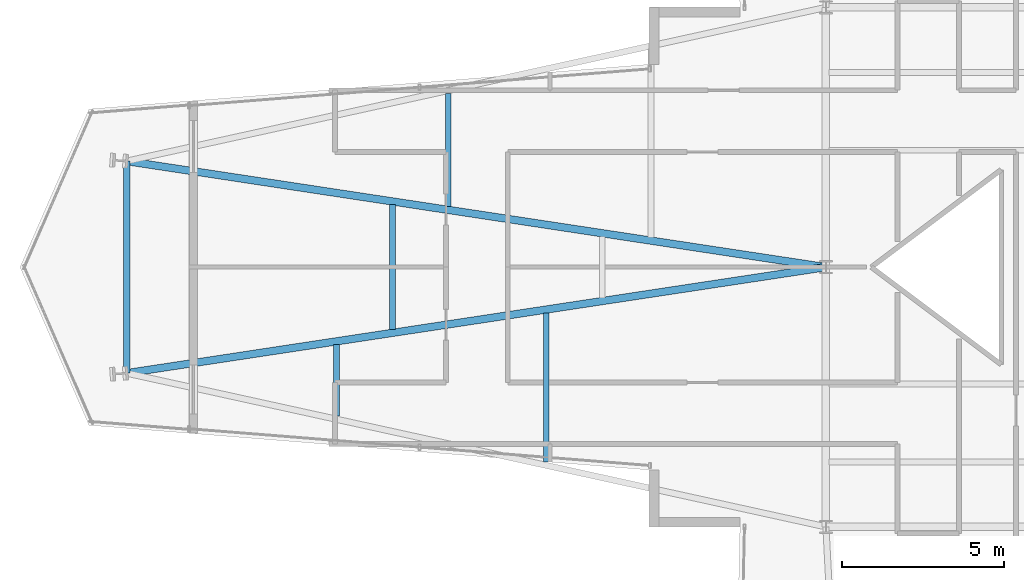
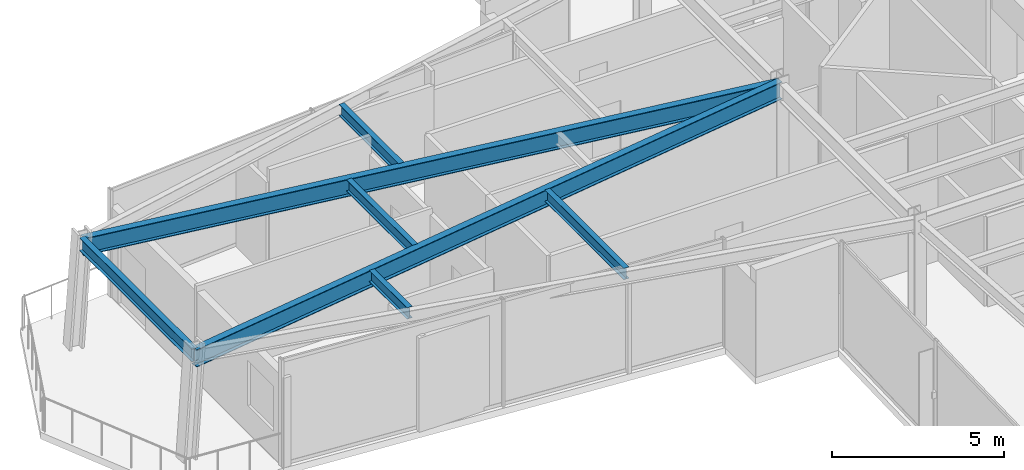
# One storey, part 6 of 26: 7 beams.
"""IFC4 building model written with IfcOpenShell, lengths in metres."""

from ifc_helpers import new_model, si_unit, direction, frame, origin, origin_2d, place, context, subcontext, project, spatial, i_section, extrude, material, material_profile, profile_set, type_object, element, save


model = new_model("IFC4")

# Units and contexts
model_context = context("Model", 3, precision=1e-05, world=origin(), true_north=direction((0.0, 1.0)))
body_context = subcontext(model_context, "Body", "Model", "MODEL_VIEW")
ifc_project = project(units=[si_unit("LENGTHUNIT", "METRE"), si_unit("AREAUNIT", "SQUARE_METRE"), si_unit("VOLUMEUNIT", "CUBIC_METRE"), si_unit("PLANEANGLEUNIT", "RADIAN"), si_unit("MASSUNIT", "GRAM", prefix="KILO")], contexts=[model_context])

# Site, building, storey
site_placement = place(None, origin())
site = spatial("IfcSite", under=ifc_project, at=site_placement, CompositionType="ELEMENT")
building_placement = place(site_placement, origin())
building = spatial("IfcBuilding", under=site, at=building_placement, Name="Veymaron Broadcast Tower", CompositionType="ELEMENT")
storey_placement = place(building_placement, frame((0.0, 0.0, 90.449951171875)))
storey = spatial("IfcBuildingStorey", under=building, at=storey_placement, Name="L20", CompositionType="ELEMENT", Elevation=90.449951171875)

# Beams
ifc_material = material(Name="Structural steel ASTM A992 Gr 50", Category="steel")
ifc_material_profile_1 = material_profile(ifc_material, i_section(OverallWidth=0.22998046875, OverallDepth=0.616943359375, WebThickness=0.01318359375, FlangeThickness=0.022216796875, at=origin_2d()), Name="W610X140")
ifc_profile_set_1 = profile_set([ifc_material_profile_1], Name="Structural steel ASTM A992 Gr 50")
beam_type_1 = type_object("IfcBeamType", Name="BM-FG1", PredefinedType="BEAM", material=ifc_profile_set_1)
for number, where, z_axis, x_axis, name in (
    (1, (9.6630859375, 20.735107421875, 3.50146484375), (0.988703729873, 0.149883069541, 0.0), (-0.149883069541, 0.988703729873, 0.0), "L20 primary structural floor girder"),
    (2, (9.6630859375, 27.264892578125, 3.50146484375), (0.988703729873, -0.149883069541, 0.0), (0.149883069541, 0.988703729873, 0.0), "L20 primary structural floor girder"),
):
    element("IfcBeam", number, at=place(storey_placement, frame(where, z_axis=z_axis, x_axis=x_axis)), inside=storey, type_object=beam_type_1, Name=name, PredefinedType="BEAM", context=body_context, shape_type="SweptSolid", body=[
        extrude(i_section(OverallWidth=0.22998046875, OverallDepth=0.616943359375, WebThickness=0.01318359375, FlangeThickness=0.022216796875, at=origin_2d()), origin(), (0.0, 0.0, 1.0), 21.782958984375),
    ])
ifc_material_profile_2 = material_profile(ifc_material, i_section(OverallWidth=0.177978515625, OverallDepth=0.406982421875, WebThickness=0.0078125, FlangeThickness=0.0126953125, at=origin_2d()), Name="W410X60")
ifc_profile_set_2 = profile_set([ifc_material_profile_2], Name="Structural steel ASTM A992 Gr 50")
beam_type_2 = type_object("IfcBeamType", Name="BM-JS1", PredefinedType="JOIST", material=ifc_profile_set_2)
beam_1_placement = place(storey_placement, frame((16.1240234375, 19.41455078125, 3.6064453125), z_axis=(0.0, 1.0, 0.0), x_axis=(-1.0, 0.0, 0.0)))
element("IfcBeam", 3, at=beam_1_placement, inside=storey, type_object=beam_type_2, Name="L20 Arm-A secondary joist 1S", PredefinedType="JOIST", context=body_context, shape_type="SweptSolid", body=[
    extrude(i_section(OverallWidth=0.177978515625, OverallDepth=0.406982421875, WebThickness=0.0078125, FlangeThickness=0.0126953125, at=origin_2d()), origin(), (0.0, 0.0, 1.0), 2.199951171875),
])
beam_2_placement = place(storey_placement, frame((17.84716796875, 22.07568359375, 3.6064453125), z_axis=(0.0, 1.0, 0.0), x_axis=(-1.0, 0.0, 0.0)))
element("IfcBeam", 4, at=beam_2_placement, inside=storey, type_object=beam_type_2, Name="L20 Arm-A secondary joist 1M", PredefinedType="JOIST", context=body_context, shape_type="SweptSolid", body=[
    extrude(i_section(OverallWidth=0.177978515625, OverallDepth=0.406982421875, WebThickness=0.0078125, FlangeThickness=0.0126953125, at=origin_2d()), origin(), (0.0, 0.0, 1.0), 3.8486328125),
])
beam_3_placement = place(storey_placement, frame((19.570068359375, 25.863037109375, 3.6064453125), z_axis=(0.0, 1.0, 0.0), x_axis=(-1.0, 0.0, 0.0)))
element("IfcBeam", 5, at=beam_3_placement, inside=storey, type_object=beam_type_2, Name="L20 Arm-A secondary joist 1N", PredefinedType="JOIST", context=body_context, shape_type="SweptSolid", body=[
    extrude(i_section(OverallWidth=0.177978515625, OverallDepth=0.406982421875, WebThickness=0.0078125, FlangeThickness=0.0126953125, at=origin_2d()), origin(), (0.0, 0.0, 1.0), 3.47998046875),
])
beam_4_placement = place(storey_placement, frame((22.585205078125, 17.993896484375, 3.6064453125), z_axis=(0.0, 1.0, 0.0), x_axis=(-1.0, 0.0, 0.0)))
element("IfcBeam", 6, at=beam_4_placement, inside=storey, type_object=beam_type_2, Name="L20 Arm-A secondary joist 2S", PredefinedType="JOIST", context=body_context, shape_type="SweptSolid", body=[
    extrude(i_section(OverallWidth=0.177978515625, OverallDepth=0.406982421875, WebThickness=0.0078125, FlangeThickness=0.0126953125, at=origin_2d()), origin(), (0.0, 0.0, 1.0), 4.60009765625),
])
ifc_material_profile_3 = material_profile(ifc_material, i_section(OverallWidth=0.19091796875, OverallDepth=0.4599609375, WebThickness=0.010009765625, FlangeThickness=0.01611328125, at=origin_2d()), Name="W460X82")
ifc_profile_set_3 = profile_set([ifc_material_profile_3], Name="Structural steel ASTM A992 Gr 50")
beam_type_3 = type_object("IfcBeamType", Name="BM-SP1", PredefinedType="SPANDREL", material=ifc_profile_set_3)
beam_5_placement = place(storey_placement, frame((9.6630859375, 20.735107421875, 3.580078125), z_axis=(0.0, 1.0, 0.0), x_axis=(-1.0, 0.0, 0.0)))
element("IfcBeam", 7, at=beam_5_placement, inside=storey, type_object=beam_type_3, Name="L20 primary structural floor girder", PredefinedType="SPANDREL", context=body_context, shape_type="SweptSolid", body=[
    extrude(i_section(OverallWidth=0.19091796875, OverallDepth=0.4599609375, WebThickness=0.010009765625, FlangeThickness=0.01611328125, at=origin_2d()), origin(), (0.0, 0.0, 1.0), 6.52978515625),
])

save(model, "model.ifc")
